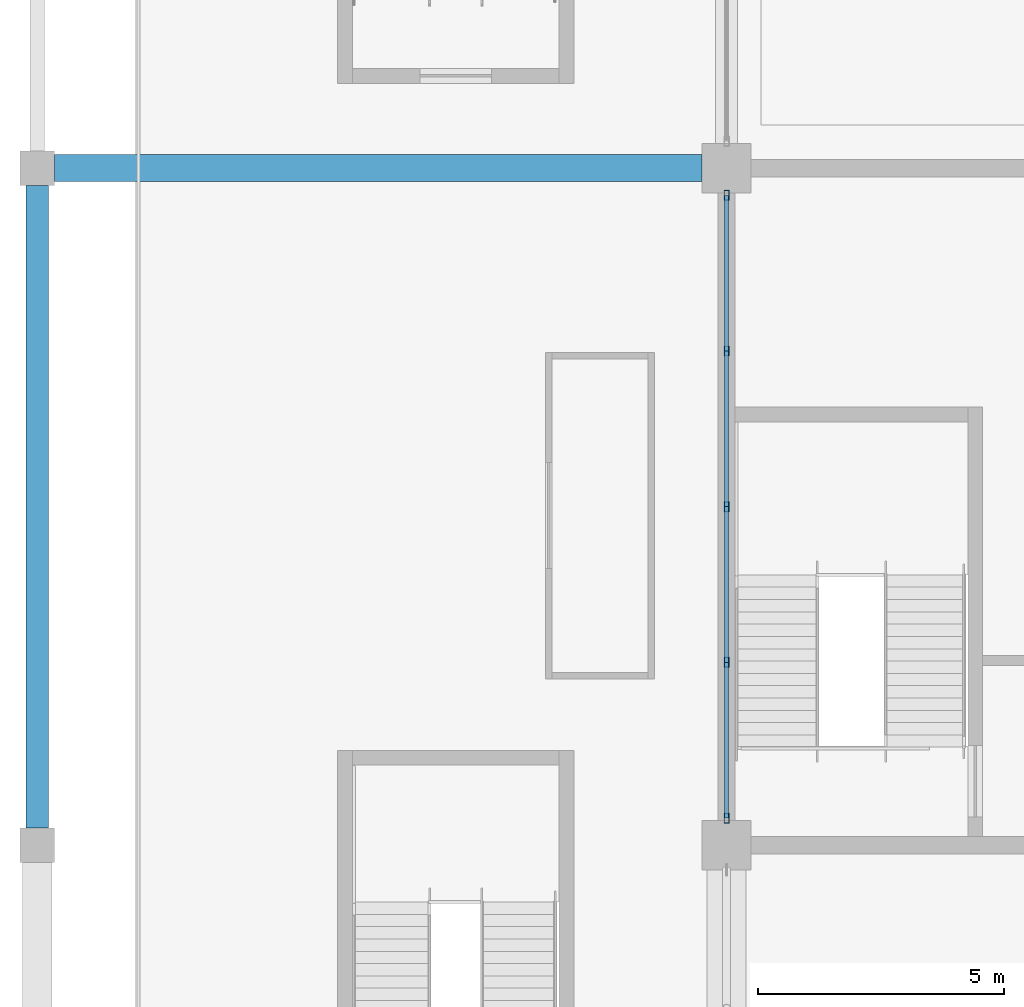
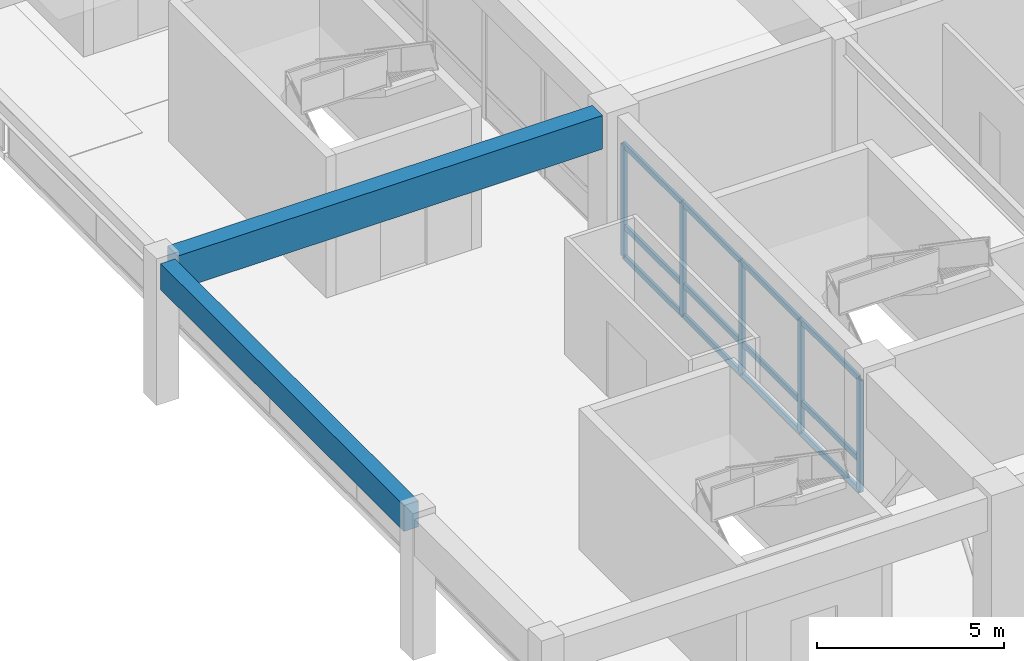
# One storey, part 16 of 94: 17 members, 2 beams, 1 element without a shape of its own.
"""IFC4 building model written with IfcOpenShell, lengths in metres."""

from ifc_helpers import new_model, si_unit, direction, frame, origin, origin_2d, place, context, subcontext, project, spatial, rectangle, hollow_rectangle, extrude, material, material_profile, profile_set, type_object, element, aggregate, save


model = new_model("IFC4")

# Units and contexts
model_context = context("Model", 3, precision=1e-05, world=origin(), true_north=direction((0.0, 1.0)))
body_context = subcontext(model_context, "Body", "Model", "MODEL_VIEW")
ifc_project = project(units=[si_unit("LENGTHUNIT", "METRE"), si_unit("AREAUNIT", "SQUARE_METRE"), si_unit("VOLUMEUNIT", "CUBIC_METRE"), si_unit("PLANEANGLEUNIT", "RADIAN"), si_unit("MASSUNIT", "GRAM", prefix="KILO")], contexts=[model_context])

# Site, building, storey
site_placement = place(None, origin())
site = spatial("IfcSite", under=ifc_project, at=site_placement, CompositionType="ELEMENT")
building_placement = place(site_placement, origin())
building = spatial("IfcBuilding", under=site, at=building_placement, Name="Linyun Crest Stadium", CompositionType="ELEMENT")
storey_placement = place(building_placement, frame((0.0, 0.0, 16.199951171875)))
storey = spatial("IfcBuildingStorey", under=building, at=storey_placement, Name="L04", CompositionType="ELEMENT", Elevation=16.199951171875)

# Beam
ifc_material_1 = material(Name="Concrete C40", Category="concrete")
ifc_material_profile_1 = material_profile(ifc_material_1, rectangle(XDim=0.449951171875, YDim=0.85009765625, at=origin_2d()), Name="RCB 850x450")
ifc_profile_set_1 = profile_set([ifc_material_profile_1], Name="Concrete C40")
beam_type_1 = type_object("IfcBeamType", Name="B04", PredefinedType="BEAM", material=ifc_profile_set_1)
beam_1_placement = place(storey_placement, frame((-98.0, -38.77490234375, 4.175048828125), z_axis=(0.0, 1.0, 0.0), x_axis=(-1.0, 0.0, 0.0)))
element("IfcBeam", 1, at=beam_1_placement, inside=storey, type_object=beam_type_1, Name="Frame beam B04 L04 321", PredefinedType="BEAM", context=body_context, shape_type="SweptSolid", body=[
    extrude(rectangle(XDim=0.449951171875, YDim=0.85009765625, at=origin_2d()), origin(), (0.0, 0.0, 1.0), 13.0498046875),
])

# Curtain wall, members
ifc_material_2 = material(Name="Verdigris steel and low-E curtain wall assembly", Category="steel")
curtain_wall_type = type_object("IfcCurtainWallType", Name="MCW06", PredefinedType="NOTDEFINED", material=ifc_material_2)
curtain_wall_placement = place(storey_placement, origin())
curtain_wall = element("IfcCurtainWall", 2, at=curtain_wall_placement, inside=storey, type_object=curtain_wall_type, Name="CWR-075", PredefinedType="NOTDEFINED")
ifc_material_3 = material(Name="Verdigris painted steel Q355C mullion", Category="steel")
ifc_material_profile_2 = material_profile(ifc_material_3, hollow_rectangle(XDim=0.10009765625, YDim=0.199951171875, WallThickness=0.008056640625, at=origin_2d()), Name="RHS 200x100x8")
ifc_profile_set_2 = profile_set([ifc_material_profile_2], Name="Verdigris painted steel Q355C mullion")
member_type_1 = type_object("IfcMemberType", Name="ML03", PredefinedType="MULLION", material=ifc_profile_set_2)
member_1_placement = place(storey_placement, frame((-84.0, -38.574951171875, 0.0), z_axis=(0.0, 0.0, 1.0), x_axis=(-1.0, 0.0, 0.0)))
member_1 = element("IfcMember", 3, at=member_1_placement, type_object=member_type_1, Name="CWR-075 mullion 1", PredefinedType="MULLION", context=body_context, shape_type="SweptSolid", body=[
    extrude(hollow_rectangle(XDim=0.10009765625, YDim=0.199951171875, WallThickness=0.008056640625, at=origin_2d()), origin(), (0.0, 0.0, 1.0), 3.650146484375),
])
member_2_placement = place(storey_placement, frame((-84.0, -35.412109375, 0.0), z_axis=(0.0, 0.0, 1.0), x_axis=(-1.0, 0.0, 0.0)))
member_2 = element("IfcMember", 4, at=member_2_placement, type_object=member_type_1, Name="CWR-075 mullion 2", PredefinedType="MULLION", context=body_context, shape_type="SweptSolid", body=[
    extrude(hollow_rectangle(XDim=0.10009765625, YDim=0.199951171875, WallThickness=0.008056640625, at=origin_2d()), origin(), (0.0, 0.0, 1.0), 3.650146484375),
])
member_3_placement = place(storey_placement, frame((-84.0, -32.25, 0.0), z_axis=(0.0, 0.0, 1.0), x_axis=(-1.0, 0.0, 0.0)))
member_3 = element("IfcMember", 5, at=member_3_placement, type_object=member_type_1, Name="CWR-075 mullion 3", PredefinedType="MULLION", context=body_context, shape_type="SweptSolid", body=[
    extrude(hollow_rectangle(XDim=0.10009765625, YDim=0.199951171875, WallThickness=0.008056640625, at=origin_2d()), origin(), (0.0, 0.0, 1.0), 3.650146484375),
])
member_4_placement = place(storey_placement, frame((-84.0, -29.087890625, 0.0), z_axis=(0.0, 0.0, 1.0), x_axis=(-1.0, 0.0, 0.0)))
member_4 = element("IfcMember", 6, at=member_4_placement, type_object=member_type_1, Name="CWR-075 mullion 4", PredefinedType="MULLION", context=body_context, shape_type="SweptSolid", body=[
    extrude(hollow_rectangle(XDim=0.10009765625, YDim=0.199951171875, WallThickness=0.008056640625, at=origin_2d()), origin(), (0.0, 0.0, 1.0), 3.650146484375),
])
member_5_placement = place(storey_placement, frame((-84.0, -25.925048828125, 0.0), z_axis=(0.0, 0.0, 1.0), x_axis=(-1.0, 0.0, 0.0)))
member_5 = element("IfcMember", 7, at=member_5_placement, type_object=member_type_1, Name="CWR-075 mullion 5", PredefinedType="MULLION", context=body_context, shape_type="SweptSolid", body=[
    extrude(hollow_rectangle(XDim=0.10009765625, YDim=0.199951171875, WallThickness=0.008056640625, at=origin_2d()), origin(), (0.0, 0.0, 1.0), 3.650146484375),
])

# Beam
ifc_material_4 = material(Name="Concrete C50", Category="concrete")
ifc_material_profile_3 = material_profile(ifc_material_4, rectangle(XDim=0.550048828125, YDim=1.10009765625, at=origin_2d()), Name="RCB 1100x550")
ifc_profile_set_3 = profile_set([ifc_material_profile_3], Name="Concrete C50")
beam_type_2 = type_object("IfcBeamType", Name="TB01", PredefinedType="USERDEFINED", material=ifc_profile_set_3)
beam_2_placement = place(storey_placement, frame((-97.64990234375, -25.375, 4.050048828125), z_axis=(1.0, 0.0, 0.0), x_axis=(0.0, 1.0, 0.0)))
element("IfcBeam", 8, at=beam_2_placement, inside=storey, type_object=beam_type_2, Name="Frame beam TB01 L04 304", ObjectType="GIRDER", PredefinedType="USERDEFINED", context=body_context, shape_type="SweptSolid", body=[
    extrude(rectangle(XDim=0.550048828125, YDim=1.10009765625, at=origin_2d()), origin(), (0.0, 0.0, 1.0), 13.14990234375),
])

# Member
ifc_material_5 = material(Name="Verdigris painted steel Q355B transom", Category="steel")
ifc_material_profile_4 = material_profile(ifc_material_5, hollow_rectangle(XDim=0.080078125, YDim=0.179931640625, WallThickness=0.006103515625, at=origin_2d()), Name="RHS 180x80x6")
ifc_profile_set_4 = profile_set([ifc_material_profile_4], Name="Verdigris painted steel Q355B transom")
member_type_2 = type_object("IfcMemberType", Name="TR02", PredefinedType="USERDEFINED", material=ifc_profile_set_4)
member_6_placement = place(storey_placement, frame((-84.0, -38.574951171875, 0.0), z_axis=(0.0, 1.0, 0.0), x_axis=(-1.0, 0.0, 0.0)))
member_6 = element("IfcMember", 9, at=member_6_placement, type_object=member_type_2, Name="CWR-075 transom 1.1", ObjectType="TRANSOM", PredefinedType="USERDEFINED", context=body_context, shape_type="SweptSolid", body=[
    extrude(hollow_rectangle(XDim=0.080078125, YDim=0.179931640625, WallThickness=0.006103515625, at=origin_2d()), origin(), (0.0, 0.0, 1.0), 3.162841796875),
])

member_7_placement = place(storey_placement, frame((-84.0, -38.574951171875, 1.0), z_axis=(0.0, 1.0, 0.0), x_axis=(-1.0, 0.0, 0.0)))
member_7 = element("IfcMember", 10, at=member_7_placement, type_object=member_type_2, Name="CWR-075 transom 1.2", ObjectType="TRANSOM", PredefinedType="USERDEFINED", context=body_context, shape_type="SweptSolid", body=[
    extrude(hollow_rectangle(XDim=0.080078125, YDim=0.179931640625, WallThickness=0.006103515625, at=origin_2d()), origin(), (0.0, 0.0, 1.0), 3.162841796875),
])

member_8_placement = place(storey_placement, frame((-84.0, -38.574951171875, 3.650146484375), z_axis=(0.0, 1.0, 0.0), x_axis=(-1.0, 0.0, 0.0)))
member_8 = element("IfcMember", 11, at=member_8_placement, type_object=member_type_2, Name="CWR-075 transom 1.3", ObjectType="TRANSOM", PredefinedType="USERDEFINED", context=body_context, shape_type="SweptSolid", body=[
    extrude(hollow_rectangle(XDim=0.080078125, YDim=0.179931640625, WallThickness=0.006103515625, at=origin_2d()), origin(), (0.0, 0.0, 1.0), 3.162841796875),
])

member_9_placement = place(storey_placement, frame((-84.0, -35.412109375, 0.0), z_axis=(0.0, 1.0, 0.0), x_axis=(-1.0, 0.0, 0.0)))
member_9 = element("IfcMember", 12, at=member_9_placement, type_object=member_type_2, Name="CWR-075 transom 2.1", ObjectType="TRANSOM", PredefinedType="USERDEFINED", context=body_context, shape_type="SweptSolid", body=[
    extrude(hollow_rectangle(XDim=0.080078125, YDim=0.179931640625, WallThickness=0.006103515625, at=origin_2d()), origin(), (0.0, 0.0, 1.0), 3.162109375),
])

member_10_placement = place(storey_placement, frame((-84.0, -35.412109375, 1.0), z_axis=(0.0, 1.0, 0.0), x_axis=(-1.0, 0.0, 0.0)))
member_10 = element("IfcMember", 13, at=member_10_placement, type_object=member_type_2, Name="CWR-075 transom 2.2", ObjectType="TRANSOM", PredefinedType="USERDEFINED", context=body_context, shape_type="SweptSolid", body=[
    extrude(hollow_rectangle(XDim=0.080078125, YDim=0.179931640625, WallThickness=0.006103515625, at=origin_2d()), origin(), (0.0, 0.0, 1.0), 3.162109375),
])

member_11_placement = place(storey_placement, frame((-84.0, -35.412109375, 3.650146484375), z_axis=(0.0, 1.0, 0.0), x_axis=(-1.0, 0.0, 0.0)))
member_11 = element("IfcMember", 14, at=member_11_placement, type_object=member_type_2, Name="CWR-075 transom 2.3", ObjectType="TRANSOM", PredefinedType="USERDEFINED", context=body_context, shape_type="SweptSolid", body=[
    extrude(hollow_rectangle(XDim=0.080078125, YDim=0.179931640625, WallThickness=0.006103515625, at=origin_2d()), origin(), (0.0, 0.0, 1.0), 3.162109375),
])

member_12_placement = place(storey_placement, frame((-84.0, -32.25, 0.0), z_axis=(0.0, 1.0, 0.0), x_axis=(-1.0, 0.0, 0.0)))
member_12 = element("IfcMember", 15, at=member_12_placement, type_object=member_type_2, Name="CWR-075 transom 3.1", ObjectType="TRANSOM", PredefinedType="USERDEFINED", context=body_context, shape_type="SweptSolid", body=[
    extrude(hollow_rectangle(XDim=0.080078125, YDim=0.179931640625, WallThickness=0.006103515625, at=origin_2d()), origin(), (0.0, 0.0, 1.0), 3.162109375),
])

member_13_placement = place(storey_placement, frame((-84.0, -32.25, 1.0), z_axis=(0.0, 1.0, 0.0), x_axis=(-1.0, 0.0, 0.0)))
member_13 = element("IfcMember", 16, at=member_13_placement, type_object=member_type_2, Name="CWR-075 transom 3.2", ObjectType="TRANSOM", PredefinedType="USERDEFINED", context=body_context, shape_type="SweptSolid", body=[
    extrude(hollow_rectangle(XDim=0.080078125, YDim=0.179931640625, WallThickness=0.006103515625, at=origin_2d()), origin(), (0.0, 0.0, 1.0), 3.162109375),
])

member_14_placement = place(storey_placement, frame((-84.0, -32.25, 3.650146484375), z_axis=(0.0, 1.0, 0.0), x_axis=(-1.0, 0.0, 0.0)))
member_14 = element("IfcMember", 17, at=member_14_placement, type_object=member_type_2, Name="CWR-075 transom 3.3", ObjectType="TRANSOM", PredefinedType="USERDEFINED", context=body_context, shape_type="SweptSolid", body=[
    extrude(hollow_rectangle(XDim=0.080078125, YDim=0.179931640625, WallThickness=0.006103515625, at=origin_2d()), origin(), (0.0, 0.0, 1.0), 3.162109375),
])

member_15_placement = place(storey_placement, frame((-84.0, -29.087890625, 0.0), z_axis=(0.0, 1.0, 0.0), x_axis=(-1.0, 0.0, 0.0)))
member_15 = element("IfcMember", 18, at=member_15_placement, type_object=member_type_2, Name="CWR-075 transom 4.1", ObjectType="TRANSOM", PredefinedType="USERDEFINED", context=body_context, shape_type="SweptSolid", body=[
    extrude(hollow_rectangle(XDim=0.080078125, YDim=0.179931640625, WallThickness=0.006103515625, at=origin_2d()), origin(), (0.0, 0.0, 1.0), 3.162841796875),
])

member_16_placement = place(storey_placement, frame((-84.0, -29.087890625, 1.0), z_axis=(0.0, 1.0, 0.0), x_axis=(-1.0, 0.0, 0.0)))
member_16 = element("IfcMember", 19, at=member_16_placement, type_object=member_type_2, Name="CWR-075 transom 4.2", ObjectType="TRANSOM", PredefinedType="USERDEFINED", context=body_context, shape_type="SweptSolid", body=[
    extrude(hollow_rectangle(XDim=0.080078125, YDim=0.179931640625, WallThickness=0.006103515625, at=origin_2d()), origin(), (0.0, 0.0, 1.0), 3.162841796875),
])

member_17_placement = place(storey_placement, frame((-84.0, -29.087890625, 3.650146484375), z_axis=(0.0, 1.0, 0.0), x_axis=(-1.0, 0.0, 0.0)))
member_17 = element("IfcMember", 20, at=member_17_placement, type_object=member_type_2, Name="CWR-075 transom 4.3", ObjectType="TRANSOM", PredefinedType="USERDEFINED", context=body_context, shape_type="SweptSolid", body=[
    extrude(hollow_rectangle(XDim=0.080078125, YDim=0.179931640625, WallThickness=0.006103515625, at=origin_2d()), origin(), (0.0, 0.0, 1.0), 3.162841796875),
])

aggregate(curtain_wall, [member_1, member_2, member_3, member_4, member_5, member_6, member_7, member_8, member_9, member_10, member_11, member_12, member_13, member_14, member_15, member_16, member_17])

save(model, "model.ifc")
